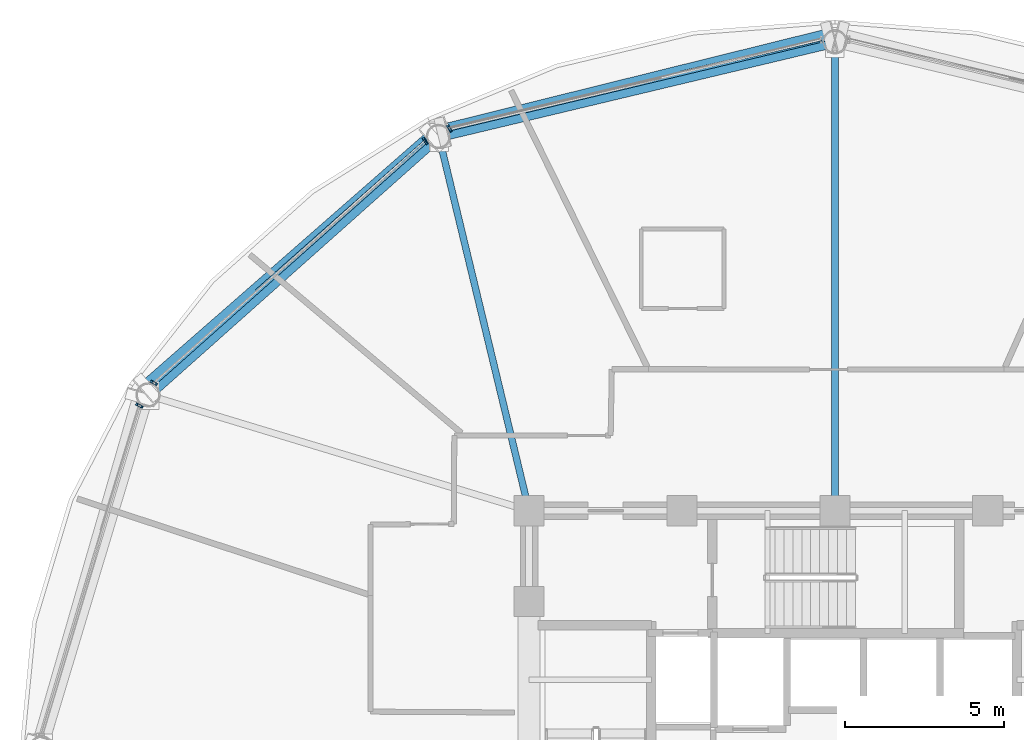
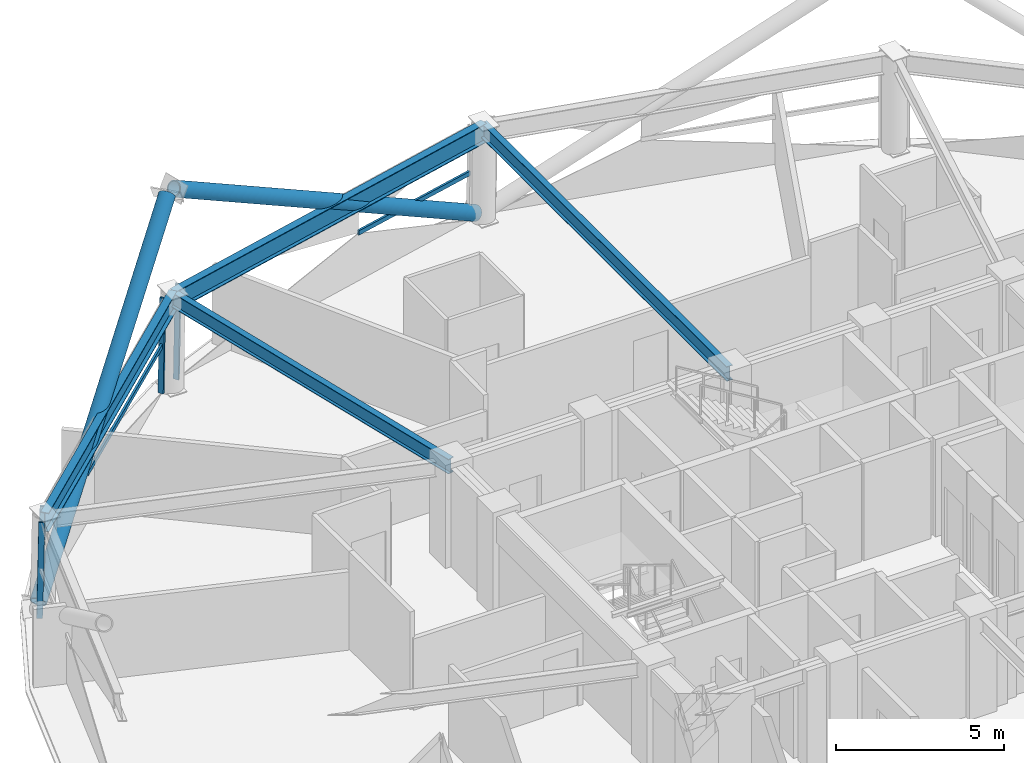
# One storey, part 6 of 17: 8 members, 4 beams, 3 elements without a shape of their own.
"""IFC4 building model written with IfcOpenShell, lengths in metres."""

from ifc_helpers import new_model, si_unit, direction, frame, origin, origin_2d, place, context, subcontext, project, spatial, hollow_rectangle, hollow_circle, i_section, extrude, material, layer, layer_set, material_profile, profile_set, type_object, element, aggregate, save


model = new_model("IFC4")

# Units and contexts
model_context = context("Model", 3, precision=1e-05, world=origin(), true_north=direction((0.0, 1.0)))
body_context = subcontext(model_context, "Body", "Model", "MODEL_VIEW")
ifc_project = project(units=[si_unit("LENGTHUNIT", "METRE"), si_unit("AREAUNIT", "SQUARE_METRE"), si_unit("VOLUMEUNIT", "CUBIC_METRE"), si_unit("PLANEANGLEUNIT", "RADIAN"), si_unit("MASSUNIT", "GRAM", prefix="KILO")], contexts=[model_context])

# Site, building, storey
site_placement = place(None, origin())
site = spatial("IfcSite", under=ifc_project, at=site_placement, CompositionType="ELEMENT")
building_placement = place(site_placement, origin())
building = spatial("IfcBuilding", under=site, at=building_placement, Name="Vantalir Tower", CompositionType="ELEMENT")
storey_placement = place(building_placement, frame((0.0, 0.0, 142.199951171875)))
storey = spatial("IfcBuildingStorey", under=building, at=storey_placement, Name="L35", CompositionType="ELEMENT", Elevation=142.199951171875)

# Beams
ifc_material_1 = material(Name="Steel S355", Category="steel")
ifc_material_profile_1 = material_profile(ifc_material_1, i_section(OverallWidth=0.2109375, OverallDepth=0.5390625, WebThickness=0.01171875, FlangeThickness=0.018798828125, at=origin_2d()), Name="Steel S355")
ifc_profile_set_1 = profile_set([ifc_material_profile_1], Name="Steel S355")
beam_type_1 = type_object("IfcBeamType", Name="BM-RB-533x210", PredefinedType="BEAM", material=ifc_profile_set_1)
beam_1_placement = place(storey_placement, frame((31.5, 47.1240234375, 3.301025390625), z_axis=(0.0, -1.0, 0.0), x_axis=(1.0, 0.0, 0.0)))
element("IfcBeam", 1, at=beam_1_placement, inside=storey, type_object=beam_type_1, Name="L35 Radial Floor Beam 04", PredefinedType="BEAM", context=body_context, shape_type="SweptSolid", body=[
    extrude(i_section(OverallWidth=0.2109375, OverallDepth=0.5390625, WebThickness=0.01171875, FlangeThickness=0.018798828125, at=origin_2d()), origin(), (0.0, 0.0, 1.0), 14.674072265625),
])
beam_2_placement = place(storey_placement, frame((19.077880859375, 44.159912109375, 3.301025390625), z_axis=(0.234285860849, -0.972167750651, 0.0), x_axis=(0.972167750651, 0.234285860849, 0.0)))
element("IfcBeam", 2, at=beam_2_placement, inside=storey, type_object=beam_type_1, Name="L35 Radial Floor Beam 05", PredefinedType="BEAM", context=body_context, shape_type="SweptSolid", body=[
    extrude(i_section(OverallWidth=0.2109375, OverallDepth=0.5390625, WebThickness=0.01171875, FlangeThickness=0.018798828125, at=origin_2d()), origin(), (0.0, 0.0, 1.0), 12.045166015625),
])
ifc_material_2 = material(Name="Steel S460", Category="steel")
ifc_material_profile_2 = material_profile(ifc_material_2, i_section(OverallWidth=0.256103515625, OverallDepth=0.693115234375, WebThickness=0.014404296875, FlangeThickness=0.023681640625, at=origin_2d()), Name="Steel S460")
ifc_profile_set_2 = profile_set([ifc_material_profile_2], Name="Steel S460")
beam_type_2 = type_object("IfcBeamType", Name="BM-RG-686x254", PredefinedType="USERDEFINED", material=ifc_profile_set_2)
beam_3_placement = place(storey_placement, frame((31.5, 47.1240234375, 3.22412109375), z_axis=(-0.972692051143, -0.23209949083, 0.0), x_axis=(0.23209949083, -0.972692051143, 0.0)))
element("IfcBeam", 3, at=beam_3_placement, inside=storey, type_object=beam_type_2, Name="L35 Circumferential Ring Girder 04", ObjectType="GIRDER", PredefinedType="USERDEFINED", context=body_context, shape_type="SweptSolid", body=[
    extrude(i_section(OverallWidth=0.256103515625, OverallDepth=0.693115234375, WebThickness=0.014404296875, FlangeThickness=0.023681640625, at=origin_2d()), origin(), (0.0, 0.0, 1.0), 12.770751953125),
])
beam_4_placement = place(storey_placement, frame((19.077880859375, 44.159912109375, 3.22412109375), z_axis=(-0.746823859881, -0.665021896115, 0.0), x_axis=(0.665021896115, -0.746823859881, 0.0)))
element("IfcBeam", 4, at=beam_4_placement, inside=storey, type_object=beam_type_2, Name="L35 Circumferential Ring Girder 05", ObjectType="GIRDER", PredefinedType="USERDEFINED", context=body_context, shape_type="SweptSolid", body=[
    extrude(i_section(OverallWidth=0.256103515625, OverallDepth=0.693115234375, WebThickness=0.014404296875, FlangeThickness=0.023681640625, at=origin_2d()), origin(), (0.0, 0.0, 1.0), 12.177001953125),
])

# Curtain wall, member
ifc_material_3 = material(Name="Champagne-silver PVDF aluminium and double-silver Low-E glass", Category="aluminium")
ifc_layer = layer(ifc_material_3, 0.199951171875)
ifc_layer_set = layer_set([ifc_layer], Name="Champagne-silver PVDF aluminium and double-silver Low-E glass")
curtain_wall_type = type_object("IfcCurtainWallType", Name="CW-DIAMOND-Z2", PredefinedType="USERDEFINED", material=ifc_layer_set)
curtain_wall_1_placement = place(storey_placement, origin())
curtain_wall_1 = element("IfcCurtainWall", 5, at=curtain_wall_1_placement, inside=storey, type_object=curtain_wall_type, Name="L35 Quilted Pyramid-Diamond Curtain Wall S04", ObjectType="UNITISED CURTAIN WALL", PredefinedType="USERDEFINED")
ifc_material_4 = material(Name="Champagne-silver PVDF aluminium 6063-T6", Category="aluminium")
ifc_material_profile_3 = material_profile(ifc_material_4, hollow_rectangle(XDim=0.074951171875, YDim=0.179931640625, WallThickness=0.00390625, at=origin_2d()), Name="Champagne-silver PVDF aluminium 6063-T6")
ifc_profile_set_3 = profile_set([ifc_material_profile_3], Name="Champagne-silver PVDF aluminium 6063-T6")
member_type_1 = type_object("IfcMemberType", Name="CWM-180x75", PredefinedType="MULLION", material=ifc_profile_set_3)
member_1_placement = place(storey_placement, frame((19.3798828125, 44.47509765625, 0.045166015625), z_axis=(0.008908540481, -0.014099343596, 0.999860913536), x_axis=(0.845388945684, 0.534151224388, 0.0)))
member_1 = element("IfcMember", 6, at=member_1_placement, type_object=member_type_1, Name="CW-L35-S04 Mullion 2", PredefinedType="MULLION", context=body_context, shape_type="SweptSolid", body=[
    extrude(hollow_rectangle(XDim=0.074951171875, YDim=0.179931640625, WallThickness=0.00390625, at=origin_2d()), origin(), (0.0, 0.0, 1.0), 3.48046875),
])

# Curtain wall, members
curtain_wall_2_placement = place(storey_placement, origin())
curtain_wall_2 = element("IfcCurtainWall", 7, at=curtain_wall_2_placement, inside=storey, type_object=curtain_wall_type, Name="L35 Quilted Pyramid-Diamond Curtain Wall S05", ObjectType="UNITISED CURTAIN WALL", PredefinedType="USERDEFINED")
member_2_placement = place(storey_placement, frame((18.6240234375, 44.080078125, 0.045166015625), z_axis=(0.008908540481, -0.014099343596, 0.999860913536), x_axis=(0.845388945684, 0.534151224388, 0.0)))
member_2 = element("IfcMember", 8, at=member_2_placement, type_object=member_type_1, Name="CW-L35-S05 Mullion 1", PredefinedType="MULLION", context=body_context, shape_type="SweptSolid", body=[
    extrude(hollow_rectangle(XDim=0.074951171875, YDim=0.179931640625, WallThickness=0.00390625, at=origin_2d()), origin(), (0.0, 0.0, 1.0), 3.48046875),
])
member_3_placement = place(storey_placement, frame((10.093017578125, 36.47802734375, 0.045166015625), z_axis=(0.015502052223, -0.008066678759, 0.999847295876), x_axis=(0.461605486228, 0.887085325707, 0.0)))
member_3 = element("IfcMember", 9, at=member_3_placement, type_object=member_type_1, Name="CW-L35-S05 Mullion 2", PredefinedType="MULLION", context=body_context, shape_type="SweptSolid", body=[
    extrude(hollow_rectangle(XDim=0.074951171875, YDim=0.179931640625, WallThickness=0.00390625, at=origin_2d()), origin(), (0.0, 0.0, 1.0), 3.48046875),
])

# Curtain wall, member
curtain_wall_3_placement = place(storey_placement, origin())
curtain_wall_3 = element("IfcCurtainWall", 10, at=curtain_wall_3_placement, inside=storey, type_object=curtain_wall_type, Name="L35 Quilted Pyramid-Diamond Curtain Wall S06", ObjectType="UNITISED CURTAIN WALL", PredefinedType="USERDEFINED")
member_4_placement = place(storey_placement, frame((9.637939453125, 35.763916015625, 0.045166015625), z_axis=(0.015502060957, -0.007996538231, 0.999847859168), x_axis=(0.458438038271, 0.888726372438, 0.0)))
member_4 = element("IfcMember", 11, at=member_4_placement, type_object=member_type_1, Name="CW-L35-S06 Mullion 1", PredefinedType="MULLION", context=body_context, shape_type="SweptSolid", body=[
    extrude(hollow_rectangle(XDim=0.074951171875, YDim=0.179931640625, WallThickness=0.00390625, at=origin_2d()), origin(), (0.0, 0.0, 1.0), 3.48046875),
])
aggregate(curtain_wall_3, [member_4])

# Member
ifc_material_profile_4 = material_profile(ifc_material_4, hollow_rectangle(XDim=0.074951171875, YDim=0.159912109375, WallThickness=0.00390625, at=origin_2d()), Name="Champagne-silver PVDF aluminium 6063-T6")
ifc_profile_set_4 = profile_set([ifc_material_profile_4], Name="Champagne-silver PVDF aluminium 6063-T6")
member_type_2 = type_object("IfcMemberType", Name="CWT-160x75", PredefinedType="USERDEFINED", material=ifc_profile_set_4)
member_5_placement = place(storey_placement, frame((31.072021484375, 47.239990234375, 1.78515625), z_axis=(-0.973811593004, -0.227356507122, 0.0), x_axis=(0.227356507122, -0.973811593004, 0.0)))
member_5 = element("IfcMember", 12, at=member_5_placement, type_object=member_type_2, Name="CW-L35-S04 Pyramid Fold Ridge Transom", ObjectType="TRANSOM", PredefinedType="USERDEFINED", context=body_context, shape_type="SweptSolid", body=[
    extrude(hollow_rectangle(XDim=0.074951171875, YDim=0.159912109375, WallThickness=0.00390625, at=origin_2d()), origin(), (0.0, 0.0, 1.0), 4.5615234375),
])

aggregate(curtain_wall_1, [member_1, member_5])

member_6_placement = place(storey_placement, frame((18.638916015625, 44.055908203125, 1.78515625), z_axis=(-0.748743703131, -0.662859613358, 0.0), x_axis=(0.662859613358, -0.748743703131, 0.0)))
member_6 = element("IfcMember", 13, at=member_6_placement, type_object=member_type_2, Name="CW-L35-S05 Pyramid Fold Ridge Transom", ObjectType="TRANSOM", PredefinedType="USERDEFINED", context=body_context, shape_type="SweptSolid", body=[
    extrude(hollow_rectangle(XDim=0.074951171875, YDim=0.159912109375, WallThickness=0.00390625, at=origin_2d()), origin(), (0.0, 0.0, 1.0), 7.078369140625),
])

aggregate(curtain_wall_2, [member_2, member_3, member_6])

# Members
ifc_material_profile_5 = material_profile(ifc_material_2, hollow_circle(Radius=0.260009765625, WallThickness=0.0380859375, at=origin_2d()), Name="Steel S460")
ifc_profile_set_5 = profile_set([ifc_material_profile_5], Name="Steel S460")
member_type_3 = type_object("IfcMemberType", Name="MEM-DB-520x38", PredefinedType="BRACE", material=ifc_profile_set_5)
member_7_placement = place(storey_placement, frame((31.31298828125, 47.323974609375, 0.18701171875), z_axis=(-0.848106549744, -0.210133351665, 0.486373575351), x_axis=(0.240495702532, -0.970650203247, 0.0)))
element("IfcMember", 14, at=member_7_placement, inside=storey, type_object=member_type_3, Name="L35 Perimeter S460 Diagrid Brace R10L", PredefinedType="BRACE", context=body_context, shape_type="SweptSolid", body=[
    extrude(hollow_circle(Radius=0.260009765625, WallThickness=0.0380859375, at=origin_2d()), origin(), (0.0, 0.0, 1.0), 14.28125),
])
member_8_placement = place(storey_placement, frame((9.907958984375, 36.31005859375, 0.191162109375), z_axis=(0.650303644423, 0.568964763504, 0.503372891543), x_axis=(-0.65847122716, 0.75260590152, 0.0)))
element("IfcMember", 15, at=member_8_placement, inside=storey, type_object=member_type_3, Name="L35 Perimeter S460 Diagrid Brace R16R", PredefinedType="BRACE", context=body_context, shape_type="SweptSolid", body=[
    extrude(hollow_circle(Radius=0.260009765625, WallThickness=0.0380859375, at=origin_2d()), origin(), (0.0, 0.0, 1.0), 13.782958984375),
])

save(model, "model.ifc")
